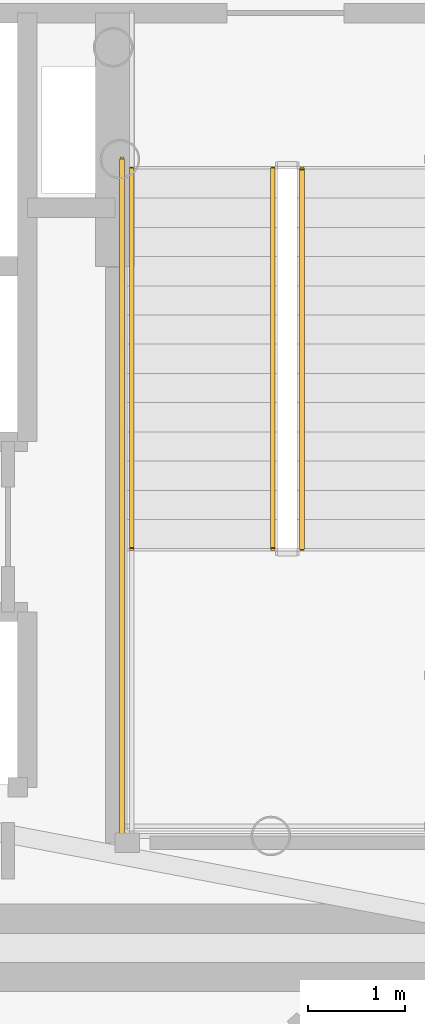
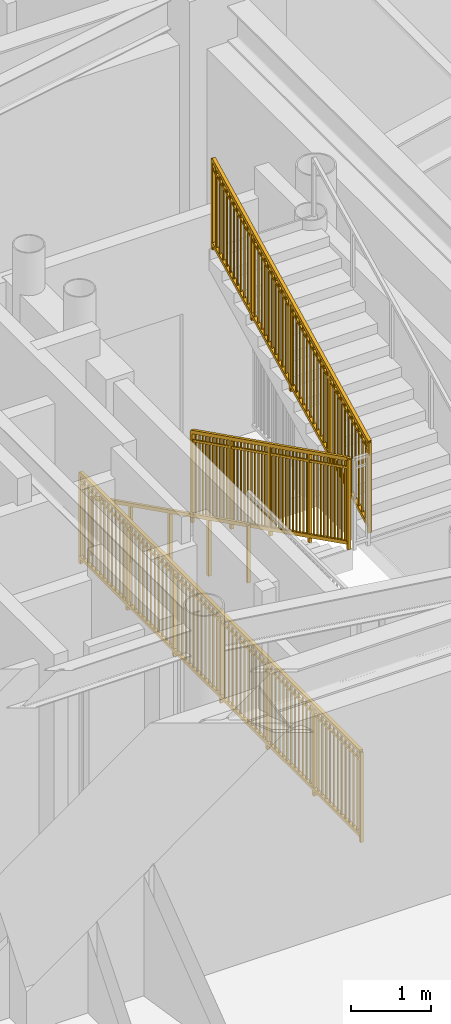
# One storey, part 28 of 32: 4 railings.
"""IFC4 building model written with IfcOpenShell, lengths in metres."""

from ifc_helpers import new_model, si_unit, direction, frame, origin, origin_2d, place, context, subcontext, project, spatial, rectangle, extrude, source, transform, mapped, material, type_object, element, save


model = new_model("IFC4")

# Units and contexts
model_context = context("Model", 3, precision=1e-05, world=origin(), true_north=direction((0.0, 1.0)))
body_context = subcontext(model_context, "Body", "Model", "MODEL_VIEW")
ifc_project = project(units=[si_unit("LENGTHUNIT", "METRE"), si_unit("AREAUNIT", "SQUARE_METRE"), si_unit("VOLUMEUNIT", "CUBIC_METRE"), si_unit("PLANEANGLEUNIT", "RADIAN"), si_unit("MASSUNIT", "GRAM", prefix="KILO")], contexts=[model_context])

# Site, building, storey
site_placement = place(None, origin())
site = spatial("IfcSite", under=ifc_project, at=site_placement, CompositionType="ELEMENT")
building_placement = place(site_placement, origin())
building = spatial("IfcBuilding", under=site, at=building_placement, Name="Linh Dai School and Residence Tower", CompositionType="ELEMENT")
storey_placement = place(building_placement, frame((0.0, 0.0, 40.800048828125)))
storey = spatial("IfcBuildingStorey", under=building, at=storey_placement, Name="L09", CompositionType="ELEMENT", Elevation=40.800048828125)

# Railings
ifc_material_1 = material(Name="Structural Steel S355JR", Category="steel")
railing_type_1 = type_object("IfcRailingType", Name="RL-ST-GUARD-1400", PredefinedType="GUARDRAIL", material=ifc_material_1)
shared_shape_1 = source(origin(), body_context, "Body", "SweptSolid", [
    extrude(rectangle(XDim=0.048095703125, YDim=0.048095703125, at=origin_2d()), frame((0.0, 0.0, 1.3759765625), z_axis=(0.0, -1.0, 0.0), x_axis=(1.0, 0.0, 0.0)), (0.0, 0.0, 1.0), 7.0),
    extrude(rectangle(XDim=0.048095703125, YDim=0.048095703125, at=origin_2d()), frame((0.0, 0.0, 0.10009765625), z_axis=(0.0, -1.0, 0.0), x_axis=(1.0, 0.0, 0.0)), (0.0, 0.0, 1.0), 7.0),
    extrude(rectangle(XDim=0.030029296875, YDim=0.030029296875, at=origin_2d()), frame((0.0, 0.0, 1.239990234375), z_axis=(0.0, -1.0, 0.0), x_axis=(1.0, 0.0, 0.0)), (0.0, 0.0, 1.0), 7.0),
    extrude(rectangle(XDim=0.02001953125, YDim=0.02001953125, at=origin_2d()), frame((0.0, -0.09716796875, 0.10009765625)), (0.0, 0.0, 1.0), 1.251708984375),
    extrude(rectangle(XDim=0.02001953125, YDim=0.02001953125, at=origin_2d()), frame((0.0, -0.1943359375, 0.10009765625)), (0.0, 0.0, 1.0), 1.251708984375),
    extrude(rectangle(XDim=0.02001953125, YDim=0.02001953125, at=origin_2d()), frame((0.0, -0.291748046875, 0.10009765625)), (0.0, 0.0, 1.0), 1.251708984375),
    extrude(rectangle(XDim=0.02001953125, YDim=0.02001953125, at=origin_2d()), frame((0.0, -0.388916015625, 0.10009765625)), (0.0, 0.0, 1.0), 1.251708984375),
    extrude(rectangle(XDim=0.02001953125, YDim=0.02001953125, at=origin_2d()), frame((0.0, -0.486083984375, 0.10009765625)), (0.0, 0.0, 1.0), 1.251708984375),
    extrude(rectangle(XDim=0.02001953125, YDim=0.02001953125, at=origin_2d()), frame((0.0, -0.583251953125, 0.10009765625)), (0.0, 0.0, 1.0), 1.251708984375),
    extrude(rectangle(XDim=0.02001953125, YDim=0.02001953125, at=origin_2d()), frame((0.0, -0.6806640625, 0.10009765625)), (0.0, 0.0, 1.0), 1.251708984375),
    extrude(rectangle(XDim=0.02001953125, YDim=0.02001953125, at=origin_2d()), frame((0.0, -0.77783203125, 0.10009765625)), (0.0, 0.0, 1.0), 1.251708984375),
    extrude(rectangle(XDim=0.02001953125, YDim=0.02001953125, at=origin_2d()), frame((0.0, -0.875, 0.10009765625)), (0.0, 0.0, 1.0), 1.251708984375),
    extrude(rectangle(XDim=0.02001953125, YDim=0.02001953125, at=origin_2d()), frame((0.0, -0.97216796875, 0.10009765625)), (0.0, 0.0, 1.0), 1.251708984375),
    extrude(rectangle(XDim=0.02001953125, YDim=0.02001953125, at=origin_2d()), frame((0.0, -1.0693359375, 0.10009765625)), (0.0, 0.0, 1.0), 1.251708984375),
    extrude(rectangle(XDim=0.02001953125, YDim=0.02001953125, at=origin_2d()), frame((0.0, -1.263916015625, 0.10009765625)), (0.0, 0.0, 1.0), 1.251708984375),
    extrude(rectangle(XDim=0.02001953125, YDim=0.02001953125, at=origin_2d()), frame((0.0, -1.361083984375, 0.10009765625)), (0.0, 0.0, 1.0), 1.251708984375),
    extrude(rectangle(XDim=0.02001953125, YDim=0.02001953125, at=origin_2d()), frame((0.0, -1.458251953125, 0.10009765625)), (0.0, 0.0, 1.0), 1.251708984375),
    extrude(rectangle(XDim=0.02001953125, YDim=0.02001953125, at=origin_2d()), frame((0.0, -1.5556640625, 0.10009765625)), (0.0, 0.0, 1.0), 1.251708984375),
    extrude(rectangle(XDim=0.02001953125, YDim=0.02001953125, at=origin_2d()), frame((0.0, -1.65283203125, 0.10009765625)), (0.0, 0.0, 1.0), 1.251708984375),
    extrude(rectangle(XDim=0.02001953125, YDim=0.02001953125, at=origin_2d()), frame((0.0, -1.75, 0.10009765625)), (0.0, 0.0, 1.0), 1.251708984375),
    extrude(rectangle(XDim=0.02001953125, YDim=0.02001953125, at=origin_2d()), frame((0.0, -1.84716796875, 0.10009765625)), (0.0, 0.0, 1.0), 1.251708984375),
    extrude(rectangle(XDim=0.02001953125, YDim=0.02001953125, at=origin_2d()), frame((0.0, -1.9443359375, 0.10009765625)), (0.0, 0.0, 1.0), 1.251708984375),
    extrude(rectangle(XDim=0.02001953125, YDim=0.02001953125, at=origin_2d()), frame((0.0, -2.041748046875, 0.10009765625)), (0.0, 0.0, 1.0), 1.251708984375),
    extrude(rectangle(XDim=0.02001953125, YDim=0.02001953125, at=origin_2d()), frame((0.0, -2.138916015625, 0.10009765625)), (0.0, 0.0, 1.0), 1.251708984375),
    extrude(rectangle(XDim=0.02001953125, YDim=0.02001953125, at=origin_2d()), frame((0.0, -2.236083984375, 0.10009765625)), (0.0, 0.0, 1.0), 1.251708984375),
    extrude(rectangle(XDim=0.02001953125, YDim=0.02001953125, at=origin_2d()), frame((0.0, -2.4306640625, 0.10009765625)), (0.0, 0.0, 1.0), 1.251708984375),
    extrude(rectangle(XDim=0.02001953125, YDim=0.02001953125, at=origin_2d()), frame((0.0, -2.52783203125, 0.10009765625)), (0.0, 0.0, 1.0), 1.251708984375),
    extrude(rectangle(XDim=0.02001953125, YDim=0.02001953125, at=origin_2d()), frame((0.0, -2.625, 0.10009765625)), (0.0, 0.0, 1.0), 1.251708984375),
    extrude(rectangle(XDim=0.02001953125, YDim=0.02001953125, at=origin_2d()), frame((0.0, -2.72216796875, 0.10009765625)), (0.0, 0.0, 1.0), 1.251708984375),
    extrude(rectangle(XDim=0.02001953125, YDim=0.02001953125, at=origin_2d()), frame((0.0, -2.8193359375, 0.10009765625)), (0.0, 0.0, 1.0), 1.251708984375),
    extrude(rectangle(XDim=0.02001953125, YDim=0.02001953125, at=origin_2d()), frame((0.0, -2.916748046875, 0.10009765625)), (0.0, 0.0, 1.0), 1.251708984375),
    extrude(rectangle(XDim=0.02001953125, YDim=0.02001953125, at=origin_2d()), frame((0.0, -3.013916015625, 0.10009765625)), (0.0, 0.0, 1.0), 1.251708984375),
    extrude(rectangle(XDim=0.02001953125, YDim=0.02001953125, at=origin_2d()), frame((0.0, -3.111083984375, 0.10009765625)), (0.0, 0.0, 1.0), 1.251708984375),
    extrude(rectangle(XDim=0.02001953125, YDim=0.02001953125, at=origin_2d()), frame((0.0, -3.208251953125, 0.10009765625)), (0.0, 0.0, 1.0), 1.251708984375),
    extrude(rectangle(XDim=0.02001953125, YDim=0.02001953125, at=origin_2d()), frame((0.0, -3.3056640625, 0.10009765625)), (0.0, 0.0, 1.0), 1.251708984375),
    extrude(rectangle(XDim=0.02001953125, YDim=0.02001953125, at=origin_2d()), frame((0.0, -3.40283203125, 0.10009765625)), (0.0, 0.0, 1.0), 1.251708984375),
    extrude(rectangle(XDim=0.02001953125, YDim=0.02001953125, at=origin_2d()), frame((0.0, -3.59716796875, 0.10009765625)), (0.0, 0.0, 1.0), 1.251708984375),
    extrude(rectangle(XDim=0.02001953125, YDim=0.02001953125, at=origin_2d()), frame((0.0, -3.6943359375, 0.10009765625)), (0.0, 0.0, 1.0), 1.251708984375),
    extrude(rectangle(XDim=0.02001953125, YDim=0.02001953125, at=origin_2d()), frame((0.0, -3.791748046875, 0.10009765625)), (0.0, 0.0, 1.0), 1.251708984375),
    extrude(rectangle(XDim=0.02001953125, YDim=0.02001953125, at=origin_2d()), frame((0.0, -3.888916015625, 0.10009765625)), (0.0, 0.0, 1.0), 1.251708984375),
    extrude(rectangle(XDim=0.02001953125, YDim=0.02001953125, at=origin_2d()), frame((0.0, -3.986083984375, 0.10009765625)), (0.0, 0.0, 1.0), 1.251708984375),
    extrude(rectangle(XDim=0.02001953125, YDim=0.02001953125, at=origin_2d()), frame((0.0, -4.083251953125, 0.10009765625)), (0.0, 0.0, 1.0), 1.251708984375),
    extrude(rectangle(XDim=0.02001953125, YDim=0.02001953125, at=origin_2d()), frame((0.0, -4.1806640625, 0.10009765625)), (0.0, 0.0, 1.0), 1.251708984375),
    extrude(rectangle(XDim=0.02001953125, YDim=0.02001953125, at=origin_2d()), frame((0.0, -4.27783203125, 0.10009765625)), (0.0, 0.0, 1.0), 1.251708984375),
    extrude(rectangle(XDim=0.02001953125, YDim=0.02001953125, at=origin_2d()), frame((0.0, -4.375, 0.10009765625)), (0.0, 0.0, 1.0), 1.251708984375),
    extrude(rectangle(XDim=0.02001953125, YDim=0.02001953125, at=origin_2d()), frame((0.0, -4.47216796875, 0.10009765625)), (0.0, 0.0, 1.0), 1.251708984375),
    extrude(rectangle(XDim=0.02001953125, YDim=0.02001953125, at=origin_2d()), frame((0.0, -4.5693359375, 0.10009765625)), (0.0, 0.0, 1.0), 1.251708984375),
    extrude(rectangle(XDim=0.02001953125, YDim=0.02001953125, at=origin_2d()), frame((0.0, -4.763916015625, 0.10009765625)), (0.0, 0.0, 1.0), 1.251708984375),
    extrude(rectangle(XDim=0.02001953125, YDim=0.02001953125, at=origin_2d()), frame((0.0, -4.861083984375, 0.10009765625)), (0.0, 0.0, 1.0), 1.251708984375),
    extrude(rectangle(XDim=0.02001953125, YDim=0.02001953125, at=origin_2d()), frame((0.0, -4.958251953125, 0.10009765625)), (0.0, 0.0, 1.0), 1.251708984375),
    extrude(rectangle(XDim=0.02001953125, YDim=0.02001953125, at=origin_2d()), frame((0.0, -5.0556640625, 0.10009765625)), (0.0, 0.0, 1.0), 1.251708984375),
    extrude(rectangle(XDim=0.02001953125, YDim=0.02001953125, at=origin_2d()), frame((0.0, -5.15283203125, 0.10009765625)), (0.0, 0.0, 1.0), 1.251708984375),
    extrude(rectangle(XDim=0.02001953125, YDim=0.02001953125, at=origin_2d()), frame((0.0, -5.25, 0.10009765625)), (0.0, 0.0, 1.0), 1.251708984375),
    extrude(rectangle(XDim=0.02001953125, YDim=0.02001953125, at=origin_2d()), frame((0.0, -5.34716796875, 0.10009765625)), (0.0, 0.0, 1.0), 1.251708984375),
    extrude(rectangle(XDim=0.02001953125, YDim=0.02001953125, at=origin_2d()), frame((0.0, -5.4443359375, 0.10009765625)), (0.0, 0.0, 1.0), 1.251708984375),
    extrude(rectangle(XDim=0.02001953125, YDim=0.02001953125, at=origin_2d()), frame((0.0, -5.541748046875, 0.10009765625)), (0.0, 0.0, 1.0), 1.251708984375),
    extrude(rectangle(XDim=0.02001953125, YDim=0.02001953125, at=origin_2d()), frame((0.0, -5.638916015625, 0.10009765625)), (0.0, 0.0, 1.0), 1.251708984375),
    extrude(rectangle(XDim=0.02001953125, YDim=0.02001953125, at=origin_2d()), frame((0.0, -5.736083984375, 0.10009765625)), (0.0, 0.0, 1.0), 1.251708984375),
    extrude(rectangle(XDim=0.02001953125, YDim=0.02001953125, at=origin_2d()), frame((0.0, -5.9306640625, 0.10009765625)), (0.0, 0.0, 1.0), 1.251708984375),
    extrude(rectangle(XDim=0.02001953125, YDim=0.02001953125, at=origin_2d()), frame((0.0, -6.02783203125, 0.10009765625)), (0.0, 0.0, 1.0), 1.251708984375),
    extrude(rectangle(XDim=0.02001953125, YDim=0.02001953125, at=origin_2d()), frame((0.0, -6.125, 0.10009765625)), (0.0, 0.0, 1.0), 1.251708984375),
    extrude(rectangle(XDim=0.02001953125, YDim=0.02001953125, at=origin_2d()), frame((0.0, -6.22216796875, 0.10009765625)), (0.0, 0.0, 1.0), 1.251708984375),
    extrude(rectangle(XDim=0.02001953125, YDim=0.02001953125, at=origin_2d()), frame((0.0, -6.3193359375, 0.10009765625)), (0.0, 0.0, 1.0), 1.251708984375),
    extrude(rectangle(XDim=0.02001953125, YDim=0.02001953125, at=origin_2d()), frame((0.0, -6.416748046875, 0.10009765625)), (0.0, 0.0, 1.0), 1.251708984375),
    extrude(rectangle(XDim=0.02001953125, YDim=0.02001953125, at=origin_2d()), frame((0.0, -6.513916015625, 0.10009765625)), (0.0, 0.0, 1.0), 1.251708984375),
    extrude(rectangle(XDim=0.02001953125, YDim=0.02001953125, at=origin_2d()), frame((0.0, -6.611083984375, 0.10009765625)), (0.0, 0.0, 1.0), 1.251708984375),
    extrude(rectangle(XDim=0.02001953125, YDim=0.02001953125, at=origin_2d()), frame((0.0, -6.708251953125, 0.10009765625)), (0.0, 0.0, 1.0), 1.251708984375),
    extrude(rectangle(XDim=0.02001953125, YDim=0.02001953125, at=origin_2d()), frame((0.0, -6.8056640625, 0.10009765625)), (0.0, 0.0, 1.0), 1.251708984375),
    extrude(rectangle(XDim=0.02001953125, YDim=0.02001953125, at=origin_2d()), frame((0.0, -6.90283203125, 0.10009765625)), (0.0, 0.0, 1.0), 1.251708984375),
    extrude(rectangle(XDim=0.0419921875, YDim=0.0419921875, at=origin_2d()), origin(), (0.0, 0.0, 1.0), 1.3759765625),
    extrude(rectangle(XDim=0.0419921875, YDim=0.0419921875, at=origin_2d()), frame((0.0, -1.166748046875, 0.0)), (0.0, 0.0, 1.0), 1.3759765625),
    extrude(rectangle(XDim=0.0419921875, YDim=0.0419921875, at=origin_2d()), frame((0.0, -2.333251953125, 0.0)), (0.0, 0.0, 1.0), 1.3759765625),
    extrude(rectangle(XDim=0.0419921875, YDim=0.0419921875, at=origin_2d()), frame((0.0, -3.5, 0.0)), (0.0, 0.0, 1.0), 1.3759765625),
    extrude(rectangle(XDim=0.0419921875, YDim=0.0419921875, at=origin_2d()), frame((0.0, -4.666748046875, 0.0)), (0.0, 0.0, 1.0), 1.3759765625),
    extrude(rectangle(XDim=0.0419921875, YDim=0.0419921875, at=origin_2d()), frame((0.0, -5.833251953125, 0.0)), (0.0, 0.0, 1.0), 1.3759765625),
    extrude(rectangle(XDim=0.0419921875, YDim=0.0419921875, at=origin_2d()), frame((0.0, -7.0, 0.0)), (0.0, 0.0, 1.0), 1.3759765625),
])
railing_1_placement = place(storey_placement, frame((40.969970703125, 28.35009765625, 0.0)))
element("IfcRailing", 1, at=railing_1_placement, inside=storey, type_object=railing_type_1, Name="L09 ST2 stair guard 10", PredefinedType="GUARDRAIL", context=body_context, shape_type="MappedRepresentation", body=[
    mapped(shared_shape_1, transform((0.0, 0.0, 0.0), x_axis=(1.0, 0.0, 0.0), y_axis=(0.0, 1.0, 0.0), z_axis=(0.0, 0.0, 1.0), scale=1.0)),
])
shared_shape_2 = source(origin(), body_context, "Body", "SweptSolid", [
    extrude(rectangle(XDim=0.048095703125, YDim=0.048095703125, at=origin_2d()), frame((0.0, 0.0, 1.3759765625), z_axis=(0.0, 0.894427191, 0.4472135955), x_axis=(-1.0, 0.0, 0.0)), (0.0, 0.0, 1.0), 4.360107421875),
    extrude(rectangle(XDim=0.048095703125, YDim=0.048095703125, at=origin_2d()), frame((0.0, 0.0, 0.10009765625), z_axis=(0.0, 0.894427191, 0.4472135955), x_axis=(-1.0, 0.0, 0.0)), (0.0, 0.0, 1.0), 4.360107421875),
    extrude(rectangle(XDim=0.030029296875, YDim=0.030029296875, at=origin_2d()), frame((0.0, 0.0, 1.239990234375), z_axis=(0.0, 0.894427191, 0.4472135955), x_axis=(-1.0, 0.0, 0.0)), (0.0, 0.0, 1.0), 4.360107421875),
    extrude(rectangle(XDim=0.02001953125, YDim=0.02001953125, at=origin_2d()), frame((0.0, 0.086669921875, 0.143310546875)), (0.0, 0.0, 1.0), 1.251708984375),
    extrude(rectangle(XDim=0.02001953125, YDim=0.02001953125, at=origin_2d()), frame((0.0, 0.17333984375, 0.186767578125)), (0.0, 0.0, 1.0), 1.251708984375),
    extrude(rectangle(XDim=0.02001953125, YDim=0.02001953125, at=origin_2d()), frame((0.0, 0.260009765625, 0.22998046875)), (0.0, 0.0, 1.0), 1.251708984375),
    extrude(rectangle(XDim=0.02001953125, YDim=0.02001953125, at=origin_2d()), frame((0.0, 0.3466796875, 0.2734375)), (0.0, 0.0, 1.0), 1.251708984375),
    extrude(rectangle(XDim=0.02001953125, YDim=0.02001953125, at=origin_2d()), frame((0.0, 0.433349609375, 0.316650390625)), (0.0, 0.0, 1.0), 1.251708984375),
    extrude(rectangle(XDim=0.02001953125, YDim=0.02001953125, at=origin_2d()), frame((0.0, 0.52001953125, 0.360107421875)), (0.0, 0.0, 1.0), 1.251708984375),
    extrude(rectangle(XDim=0.02001953125, YDim=0.02001953125, at=origin_2d()), frame((0.0, 0.606689453125, 0.4033203125)), (0.0, 0.0, 1.0), 1.251708984375),
    extrude(rectangle(XDim=0.02001953125, YDim=0.02001953125, at=origin_2d()), frame((0.0, 0.693359375, 0.44677734375)), (0.0, 0.0, 1.0), 1.251708984375),
    extrude(rectangle(XDim=0.02001953125, YDim=0.02001953125, at=origin_2d()), frame((0.0, 0.780029296875, 0.489990234375)), (0.0, 0.0, 1.0), 1.251708984375),
    extrude(rectangle(XDim=0.02001953125, YDim=0.02001953125, at=origin_2d()), frame((0.0, 0.86669921875, 0.533447265625)), (0.0, 0.0, 1.0), 1.251708984375),
    extrude(rectangle(XDim=0.02001953125, YDim=0.02001953125, at=origin_2d()), frame((0.0, 1.0400390625, 0.6201171875)), (0.0, 0.0, 1.0), 1.251708984375),
    extrude(rectangle(XDim=0.02001953125, YDim=0.02001953125, at=origin_2d()), frame((0.0, 1.126708984375, 0.663330078125)), (0.0, 0.0, 1.0), 1.251708984375),
    extrude(rectangle(XDim=0.02001953125, YDim=0.02001953125, at=origin_2d()), frame((0.0, 1.21337890625, 0.706787109375)), (0.0, 0.0, 1.0), 1.251708984375),
    extrude(rectangle(XDim=0.02001953125, YDim=0.02001953125, at=origin_2d()), frame((0.0, 1.300048828125, 0.75)), (0.0, 0.0, 1.0), 1.251708984375),
    extrude(rectangle(XDim=0.02001953125, YDim=0.02001953125, at=origin_2d()), frame((0.0, 1.38671875, 0.79345703125)), (0.0, 0.0, 1.0), 1.251708984375),
    extrude(rectangle(XDim=0.02001953125, YDim=0.02001953125, at=origin_2d()), frame((0.0, 1.473388671875, 0.836669921875)), (0.0, 0.0, 1.0), 1.251708984375),
    extrude(rectangle(XDim=0.02001953125, YDim=0.02001953125, at=origin_2d()), frame((0.0, 1.56005859375, 0.880126953125)), (0.0, 0.0, 1.0), 1.251708984375),
    extrude(rectangle(XDim=0.02001953125, YDim=0.02001953125, at=origin_2d()), frame((0.0, 1.646728515625, 0.92333984375)), (0.0, 0.0, 1.0), 1.251708984375),
    extrude(rectangle(XDim=0.02001953125, YDim=0.02001953125, at=origin_2d()), frame((0.0, 1.7333984375, 0.966796875)), (0.0, 0.0, 1.0), 1.251708984375),
    extrude(rectangle(XDim=0.02001953125, YDim=0.02001953125, at=origin_2d()), frame((0.0, 1.820068359375, 1.010009765625)), (0.0, 0.0, 1.0), 1.251708984375),
    extrude(rectangle(XDim=0.02001953125, YDim=0.02001953125, at=origin_2d()), frame((0.0, 1.90673828125, 1.053466796875)), (0.0, 0.0, 1.0), 1.251708984375),
    extrude(rectangle(XDim=0.02001953125, YDim=0.02001953125, at=origin_2d()), frame((0.0, 1.9931640625, 1.0966796875)), (0.0, 0.0, 1.0), 1.251708984375),
    extrude(rectangle(XDim=0.02001953125, YDim=0.02001953125, at=origin_2d()), frame((0.0, 2.079833984375, 1.14013671875)), (0.0, 0.0, 1.0), 1.251708984375),
    extrude(rectangle(XDim=0.02001953125, YDim=0.02001953125, at=origin_2d()), frame((0.0, 2.16650390625, 1.183349609375)), (0.0, 0.0, 1.0), 1.251708984375),
    extrude(rectangle(XDim=0.02001953125, YDim=0.02001953125, at=origin_2d()), frame((0.0, 2.253173828125, 1.226806640625)), (0.0, 0.0, 1.0), 1.251708984375),
    extrude(rectangle(XDim=0.02001953125, YDim=0.02001953125, at=origin_2d()), frame((0.0, 2.33984375, 1.27001953125)), (0.0, 0.0, 1.0), 1.251708984375),
    extrude(rectangle(XDim=0.02001953125, YDim=0.02001953125, at=origin_2d()), frame((0.0, 2.426513671875, 1.3134765625)), (0.0, 0.0, 1.0), 1.251708984375),
    extrude(rectangle(XDim=0.02001953125, YDim=0.02001953125, at=origin_2d()), frame((0.0, 2.51318359375, 1.356689453125)), (0.0, 0.0, 1.0), 1.251708984375),
    extrude(rectangle(XDim=0.02001953125, YDim=0.02001953125, at=origin_2d()), frame((0.0, 2.599853515625, 1.400146484375)), (0.0, 0.0, 1.0), 1.251708984375),
    extrude(rectangle(XDim=0.02001953125, YDim=0.02001953125, at=origin_2d()), frame((0.0, 2.6865234375, 1.443359375)), (0.0, 0.0, 1.0), 1.251708984375),
    extrude(rectangle(XDim=0.02001953125, YDim=0.02001953125, at=origin_2d()), frame((0.0, 2.773193359375, 1.48681640625)), (0.0, 0.0, 1.0), 1.251708984375),
    extrude(rectangle(XDim=0.02001953125, YDim=0.02001953125, at=origin_2d()), frame((0.0, 2.85986328125, 1.530029296875)), (0.0, 0.0, 1.0), 1.251708984375),
    extrude(rectangle(XDim=0.02001953125, YDim=0.02001953125, at=origin_2d()), frame((0.0, 3.033203125, 1.61669921875)), (0.0, 0.0, 1.0), 1.251708984375),
    extrude(rectangle(XDim=0.02001953125, YDim=0.02001953125, at=origin_2d()), frame((0.0, 3.119873046875, 1.66015625)), (0.0, 0.0, 1.0), 1.251708984375),
    extrude(rectangle(XDim=0.02001953125, YDim=0.02001953125, at=origin_2d()), frame((0.0, 3.20654296875, 1.703369140625)), (0.0, 0.0, 1.0), 1.251708984375),
    extrude(rectangle(XDim=0.02001953125, YDim=0.02001953125, at=origin_2d()), frame((0.0, 3.293212890625, 1.746826171875)), (0.0, 0.0, 1.0), 1.251708984375),
    extrude(rectangle(XDim=0.02001953125, YDim=0.02001953125, at=origin_2d()), frame((0.0, 3.3798828125, 1.7900390625)), (0.0, 0.0, 1.0), 1.251708984375),
    extrude(rectangle(XDim=0.02001953125, YDim=0.02001953125, at=origin_2d()), frame((0.0, 3.466552734375, 1.83349609375)), (0.0, 0.0, 1.0), 1.251708984375),
    extrude(rectangle(XDim=0.02001953125, YDim=0.02001953125, at=origin_2d()), frame((0.0, 3.55322265625, 1.876708984375)), (0.0, 0.0, 1.0), 1.251708984375),
    extrude(rectangle(XDim=0.02001953125, YDim=0.02001953125, at=origin_2d()), frame((0.0, 3.639892578125, 1.920166015625)), (0.0, 0.0, 1.0), 1.251708984375),
    extrude(rectangle(XDim=0.02001953125, YDim=0.02001953125, at=origin_2d()), frame((0.0, 3.7265625, 1.96337890625)), (0.0, 0.0, 1.0), 1.251708984375),
    extrude(rectangle(XDim=0.02001953125, YDim=0.02001953125, at=origin_2d()), frame((0.0, 3.813232421875, 2.0068359375)), (0.0, 0.0, 1.0), 1.251708984375),
    extrude(rectangle(XDim=0.0419921875, YDim=0.0419921875, at=origin_2d()), origin(), (0.0, 0.0, 1.0), 1.3759765625),
    extrude(rectangle(XDim=0.0419921875, YDim=0.0419921875, at=origin_2d()), frame((0.0, 0.97509765625, 0.487548828125)), (0.0, 0.0, 1.0), 1.3759765625),
    extrude(rectangle(XDim=0.0419921875, YDim=0.0419921875, at=origin_2d()), frame((0.0, 1.949951171875, 0.97509765625)), (0.0, 0.0, 1.0), 1.3759765625),
    extrude(rectangle(XDim=0.0419921875, YDim=0.0419921875, at=origin_2d()), frame((0.0, 2.9248046875, 1.46240234375)), (0.0, 0.0, 1.0), 1.3759765625),
    extrude(rectangle(XDim=0.0419921875, YDim=0.0419921875, at=origin_2d()), frame((0.0, 3.89990234375, 1.949951171875)), (0.0, 0.0, 1.0), 1.3759765625),
])
railing_2_placement = place(storey_placement, frame((42.820068359375, 24.35009765625, 2.25)))
element("IfcRailing", 2, at=railing_2_placement, inside=storey, type_object=railing_type_1, Name="L09 ST2 stair guard 6", PredefinedType="GUARDRAIL", context=body_context, shape_type="MappedRepresentation", body=[
    mapped(shared_shape_2, transform((0.0, 0.0, 0.0), x_axis=(1.0, 0.0, 0.0), y_axis=(0.0, 1.0, 0.0), z_axis=(0.0, 0.0, 1.0), scale=1.0)),
])
shared_shape_3 = source(origin(), body_context, "Body", "SweptSolid", [
    extrude(rectangle(XDim=0.048095703125, YDim=0.048095703125, at=origin_2d()), frame((0.0, 0.0, 1.3759765625), z_axis=(0.0, -0.894427191, 0.4472135955), x_axis=(1.0, 0.0, 0.0)), (0.0, 0.0, 1.0), 4.360107421875),
    extrude(rectangle(XDim=0.048095703125, YDim=0.048095703125, at=origin_2d()), frame((0.0, 0.0, 0.10009765625), z_axis=(0.0, -0.894427191, 0.4472135955), x_axis=(1.0, 0.0, 0.0)), (0.0, 0.0, 1.0), 4.360107421875),
    extrude(rectangle(XDim=0.030029296875, YDim=0.030029296875, at=origin_2d()), frame((0.0, 0.0, 1.239990234375), z_axis=(0.0, -0.894427191, 0.4472135955), x_axis=(1.0, 0.0, 0.0)), (0.0, 0.0, 1.0), 4.360107421875),
    extrude(rectangle(XDim=0.02001953125, YDim=0.02001953125, at=origin_2d()), frame((0.0, -0.086669921875, 0.143310546875)), (0.0, 0.0, 1.0), 1.251708984375),
    extrude(rectangle(XDim=0.02001953125, YDim=0.02001953125, at=origin_2d()), frame((0.0, -0.17333984375, 0.186767578125)), (0.0, 0.0, 1.0), 1.251708984375),
    extrude(rectangle(XDim=0.02001953125, YDim=0.02001953125, at=origin_2d()), frame((0.0, -0.260009765625, 0.22998046875)), (0.0, 0.0, 1.0), 1.251708984375),
    extrude(rectangle(XDim=0.02001953125, YDim=0.02001953125, at=origin_2d()), frame((0.0, -0.3466796875, 0.2734375)), (0.0, 0.0, 1.0), 1.251708984375),
    extrude(rectangle(XDim=0.02001953125, YDim=0.02001953125, at=origin_2d()), frame((0.0, -0.433349609375, 0.316650390625)), (0.0, 0.0, 1.0), 1.251708984375),
    extrude(rectangle(XDim=0.02001953125, YDim=0.02001953125, at=origin_2d()), frame((0.0, -0.52001953125, 0.360107421875)), (0.0, 0.0, 1.0), 1.251708984375),
    extrude(rectangle(XDim=0.02001953125, YDim=0.02001953125, at=origin_2d()), frame((0.0, -0.606689453125, 0.4033203125)), (0.0, 0.0, 1.0), 1.251708984375),
    extrude(rectangle(XDim=0.02001953125, YDim=0.02001953125, at=origin_2d()), frame((0.0, -0.693359375, 0.44677734375)), (0.0, 0.0, 1.0), 1.251708984375),
    extrude(rectangle(XDim=0.02001953125, YDim=0.02001953125, at=origin_2d()), frame((0.0, -0.780029296875, 0.489990234375)), (0.0, 0.0, 1.0), 1.251708984375),
    extrude(rectangle(XDim=0.02001953125, YDim=0.02001953125, at=origin_2d()), frame((0.0, -0.86669921875, 0.533447265625)), (0.0, 0.0, 1.0), 1.251708984375),
    extrude(rectangle(XDim=0.02001953125, YDim=0.02001953125, at=origin_2d()), frame((0.0, -1.0400390625, 0.6201171875)), (0.0, 0.0, 1.0), 1.251708984375),
    extrude(rectangle(XDim=0.02001953125, YDim=0.02001953125, at=origin_2d()), frame((0.0, -1.126708984375, 0.663330078125)), (0.0, 0.0, 1.0), 1.251708984375),
    extrude(rectangle(XDim=0.02001953125, YDim=0.02001953125, at=origin_2d()), frame((0.0, -1.21337890625, 0.706787109375)), (0.0, 0.0, 1.0), 1.251708984375),
    extrude(rectangle(XDim=0.02001953125, YDim=0.02001953125, at=origin_2d()), frame((0.0, -1.300048828125, 0.75)), (0.0, 0.0, 1.0), 1.251708984375),
    extrude(rectangle(XDim=0.02001953125, YDim=0.02001953125, at=origin_2d()), frame((0.0, -1.38671875, 0.79345703125)), (0.0, 0.0, 1.0), 1.251708984375),
    extrude(rectangle(XDim=0.02001953125, YDim=0.02001953125, at=origin_2d()), frame((0.0, -1.473388671875, 0.836669921875)), (0.0, 0.0, 1.0), 1.251708984375),
    extrude(rectangle(XDim=0.02001953125, YDim=0.02001953125, at=origin_2d()), frame((0.0, -1.56005859375, 0.880126953125)), (0.0, 0.0, 1.0), 1.251708984375),
    extrude(rectangle(XDim=0.02001953125, YDim=0.02001953125, at=origin_2d()), frame((0.0, -1.646728515625, 0.92333984375)), (0.0, 0.0, 1.0), 1.251708984375),
    extrude(rectangle(XDim=0.02001953125, YDim=0.02001953125, at=origin_2d()), frame((0.0, -1.7333984375, 0.966796875)), (0.0, 0.0, 1.0), 1.251708984375),
    extrude(rectangle(XDim=0.02001953125, YDim=0.02001953125, at=origin_2d()), frame((0.0, -1.820068359375, 1.010009765625)), (0.0, 0.0, 1.0), 1.251708984375),
    extrude(rectangle(XDim=0.02001953125, YDim=0.02001953125, at=origin_2d()), frame((0.0, -1.90673828125, 1.053466796875)), (0.0, 0.0, 1.0), 1.251708984375),
    extrude(rectangle(XDim=0.02001953125, YDim=0.02001953125, at=origin_2d()), frame((0.0, -1.9931640625, 1.0966796875)), (0.0, 0.0, 1.0), 1.251708984375),
    extrude(rectangle(XDim=0.02001953125, YDim=0.02001953125, at=origin_2d()), frame((0.0, -2.079833984375, 1.14013671875)), (0.0, 0.0, 1.0), 1.251708984375),
    extrude(rectangle(XDim=0.02001953125, YDim=0.02001953125, at=origin_2d()), frame((0.0, -2.16650390625, 1.183349609375)), (0.0, 0.0, 1.0), 1.251708984375),
    extrude(rectangle(XDim=0.02001953125, YDim=0.02001953125, at=origin_2d()), frame((0.0, -2.253173828125, 1.226806640625)), (0.0, 0.0, 1.0), 1.251708984375),
    extrude(rectangle(XDim=0.02001953125, YDim=0.02001953125, at=origin_2d()), frame((0.0, -2.33984375, 1.27001953125)), (0.0, 0.0, 1.0), 1.251708984375),
    extrude(rectangle(XDim=0.02001953125, YDim=0.02001953125, at=origin_2d()), frame((0.0, -2.426513671875, 1.3134765625)), (0.0, 0.0, 1.0), 1.251708984375),
    extrude(rectangle(XDim=0.02001953125, YDim=0.02001953125, at=origin_2d()), frame((0.0, -2.51318359375, 1.356689453125)), (0.0, 0.0, 1.0), 1.251708984375),
    extrude(rectangle(XDim=0.02001953125, YDim=0.02001953125, at=origin_2d()), frame((0.0, -2.599853515625, 1.400146484375)), (0.0, 0.0, 1.0), 1.251708984375),
    extrude(rectangle(XDim=0.02001953125, YDim=0.02001953125, at=origin_2d()), frame((0.0, -2.6865234375, 1.443359375)), (0.0, 0.0, 1.0), 1.251708984375),
    extrude(rectangle(XDim=0.02001953125, YDim=0.02001953125, at=origin_2d()), frame((0.0, -2.773193359375, 1.48681640625)), (0.0, 0.0, 1.0), 1.251708984375),
    extrude(rectangle(XDim=0.02001953125, YDim=0.02001953125, at=origin_2d()), frame((0.0, -2.85986328125, 1.530029296875)), (0.0, 0.0, 1.0), 1.251708984375),
    extrude(rectangle(XDim=0.02001953125, YDim=0.02001953125, at=origin_2d()), frame((0.0, -3.033203125, 1.61669921875)), (0.0, 0.0, 1.0), 1.251708984375),
    extrude(rectangle(XDim=0.02001953125, YDim=0.02001953125, at=origin_2d()), frame((0.0, -3.119873046875, 1.66015625)), (0.0, 0.0, 1.0), 1.251708984375),
    extrude(rectangle(XDim=0.02001953125, YDim=0.02001953125, at=origin_2d()), frame((0.0, -3.20654296875, 1.703369140625)), (0.0, 0.0, 1.0), 1.251708984375),
    extrude(rectangle(XDim=0.02001953125, YDim=0.02001953125, at=origin_2d()), frame((0.0, -3.293212890625, 1.746826171875)), (0.0, 0.0, 1.0), 1.251708984375),
    extrude(rectangle(XDim=0.02001953125, YDim=0.02001953125, at=origin_2d()), frame((0.0, -3.3798828125, 1.7900390625)), (0.0, 0.0, 1.0), 1.251708984375),
    extrude(rectangle(XDim=0.02001953125, YDim=0.02001953125, at=origin_2d()), frame((0.0, -3.466552734375, 1.83349609375)), (0.0, 0.0, 1.0), 1.251708984375),
    extrude(rectangle(XDim=0.02001953125, YDim=0.02001953125, at=origin_2d()), frame((0.0, -3.55322265625, 1.876708984375)), (0.0, 0.0, 1.0), 1.251708984375),
    extrude(rectangle(XDim=0.02001953125, YDim=0.02001953125, at=origin_2d()), frame((0.0, -3.639892578125, 1.920166015625)), (0.0, 0.0, 1.0), 1.251708984375),
    extrude(rectangle(XDim=0.02001953125, YDim=0.02001953125, at=origin_2d()), frame((0.0, -3.7265625, 1.96337890625)), (0.0, 0.0, 1.0), 1.251708984375),
    extrude(rectangle(XDim=0.02001953125, YDim=0.02001953125, at=origin_2d()), frame((0.0, -3.813232421875, 2.0068359375)), (0.0, 0.0, 1.0), 1.251708984375),
    extrude(rectangle(XDim=0.0419921875, YDim=0.0419921875, at=origin_2d()), origin(), (0.0, 0.0, 1.0), 1.3759765625),
    extrude(rectangle(XDim=0.0419921875, YDim=0.0419921875, at=origin_2d()), frame((0.0, -0.97509765625, 0.487548828125)), (0.0, 0.0, 1.0), 1.3759765625),
    extrude(rectangle(XDim=0.0419921875, YDim=0.0419921875, at=origin_2d()), frame((0.0, -1.949951171875, 0.97509765625)), (0.0, 0.0, 1.0), 1.3759765625),
    extrude(rectangle(XDim=0.0419921875, YDim=0.0419921875, at=origin_2d()), frame((0.0, -2.9248046875, 1.46240234375)), (0.0, 0.0, 1.0), 1.3759765625),
    extrude(rectangle(XDim=0.0419921875, YDim=0.0419921875, at=origin_2d()), frame((0.0, -3.89990234375, 1.949951171875)), (0.0, 0.0, 1.0), 1.3759765625),
])
railing_3_placement = place(storey_placement, frame((42.52001953125, 28.25, 0.14990234375)))
element("IfcRailing", 3, at=railing_3_placement, inside=storey, type_object=railing_type_1, Name="L09 ST2 stair guard 1", PredefinedType="GUARDRAIL", context=body_context, shape_type="MappedRepresentation", body=[
    mapped(shared_shape_3, transform((0.0, 0.0, 0.0), x_axis=(1.0, 0.0, 0.0), y_axis=(0.0, 1.0, 0.0), z_axis=(0.0, 0.0, 1.0), scale=1.0)),
])
ifc_material_2 = material(Name="Brushed Stainless Steel Handrail", Category="steel")
railing_type_2 = type_object("IfcRailingType", Name="RL-ST-HANDRAIL-900", PredefinedType="HANDRAIL", material=ifc_material_2)
shared_shape_4 = source(origin(), body_context, "Body", "SweptSolid", [
    extrude(rectangle(XDim=0.048095703125, YDim=0.048095703125, at=origin_2d()), frame((0.0, 0.0, 0.8759765625), z_axis=(0.0, -0.894427191, 0.4472135955), x_axis=(1.0, 0.0, 0.0)), (0.0, 0.0, 1.0), 4.360107421875),
    extrude(rectangle(XDim=0.0419921875, YDim=0.0419921875, at=origin_2d()), origin(), (0.0, 0.0, 1.0), 0.8759765625),
    extrude(rectangle(XDim=0.0419921875, YDim=0.0419921875, at=origin_2d()), frame((0.0, -0.97509765625, 0.487548828125)), (0.0, 0.0, 1.0), 0.8759765625),
    extrude(rectangle(XDim=0.0419921875, YDim=0.0419921875, at=origin_2d()), frame((0.0, -1.949951171875, 0.97509765625)), (0.0, 0.0, 1.0), 0.8759765625),
    extrude(rectangle(XDim=0.0419921875, YDim=0.0419921875, at=origin_2d()), frame((0.0, -2.9248046875, 1.46240234375)), (0.0, 0.0, 1.0), 0.8759765625),
    extrude(rectangle(XDim=0.0419921875, YDim=0.0419921875, at=origin_2d()), frame((0.0, -3.89990234375, 1.949951171875)), (0.0, 0.0, 1.0), 0.8759765625),
])
railing_4_placement = place(storey_placement, frame((41.070068359375, 28.25, 0.14990234375)))
element("IfcRailing", 4, at=railing_4_placement, inside=storey, type_object=railing_type_2, Name="L09 ST2 stair handrail 1", PredefinedType="HANDRAIL", context=body_context, shape_type="MappedRepresentation", body=[
    mapped(shared_shape_4, transform((0.0, 0.0, 0.0), x_axis=(1.0, 0.0, 0.0), y_axis=(0.0, 1.0, 0.0), z_axis=(0.0, 0.0, 1.0), scale=1.0)),
])

save(model, "model.ifc")
